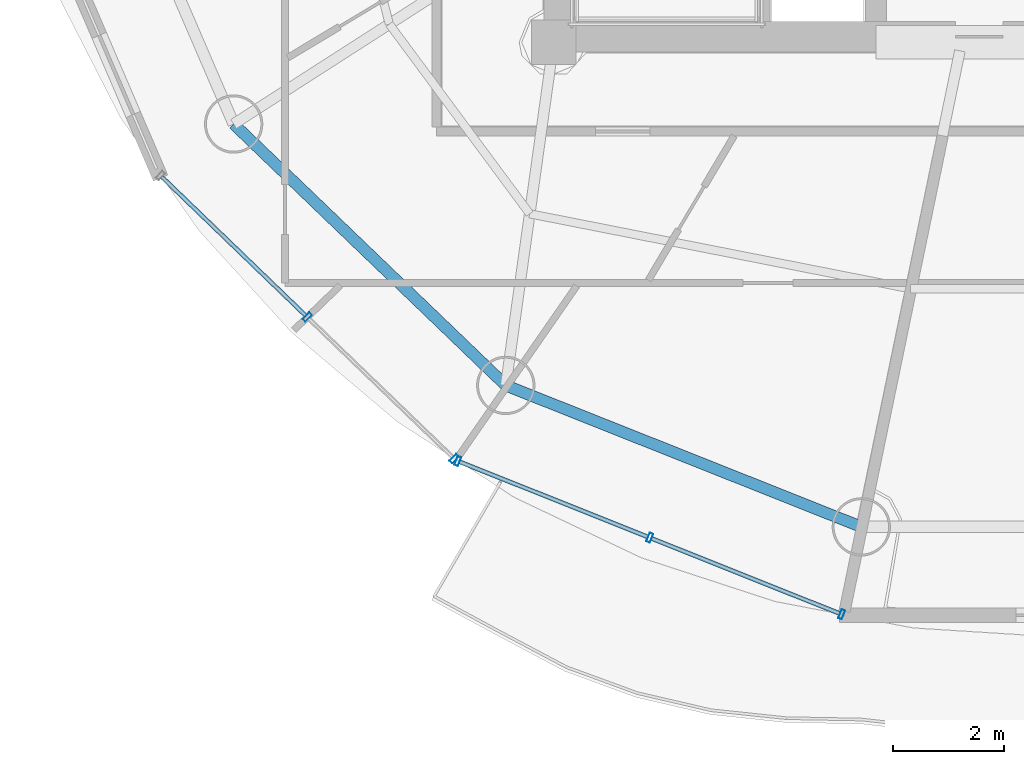
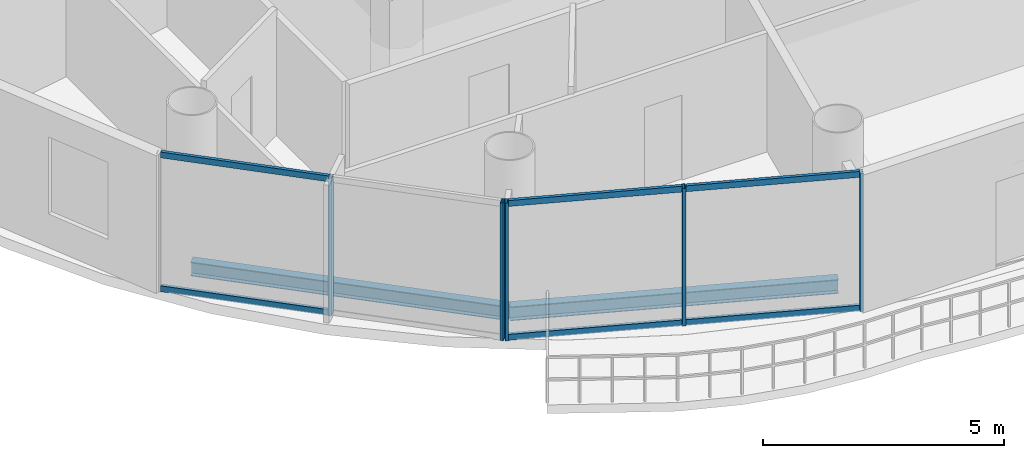
# One storey, part 2 of 23: 11 members, 2 beams, 2 elements without a shape of their own.
"""IFC4 building model written with IfcOpenShell, lengths in metres."""

from ifc_helpers import new_model, si_unit, direction, frame, origin, origin_2d, place, context, subcontext, project, spatial, hollow_rectangle, i_section, extrude, source, transform, mapped, material, material_profile, profile_set, type_object, element, aggregate, save


model = new_model("IFC4")

# Units and contexts
model_context = context("Model", 3, precision=1e-05, world=origin(), true_north=direction((-0.2419218956, 0.970295726276)))
body_context = subcontext(model_context, "Body", "Model", "MODEL_VIEW")
ifc_project = project(units=[si_unit("LENGTHUNIT", "METRE"), si_unit("AREAUNIT", "SQUARE_METRE"), si_unit("VOLUMEUNIT", "CUBIC_METRE"), si_unit("PLANEANGLEUNIT", "RADIAN"), si_unit("MASSUNIT", "GRAM", prefix="KILO")], contexts=[model_context])

# Site, building, storey
site_placement = place(None, origin())
site = spatial("IfcSite", under=ifc_project, at=site_placement, CompositionType="ELEMENT")
building_placement = place(site_placement, origin())
building = spatial("IfcBuilding", under=site, at=building_placement, Name="Cobrevalo Terracotta Tower", CompositionType="ELEMENT")
storey_placement = place(building_placement, frame((0.0, 0.0, 251.949951171875)))
storey = spatial("IfcBuildingStorey", under=building, at=storey_placement, Name="L66", CompositionType="ELEMENT", Elevation=251.949951171875)

# Beams
ifc_material_1 = material(Name="Steel S355", Category="steel")
ifc_material_profile_1 = material_profile(ifc_material_1, i_section(OverallWidth=0.205078125, OverallDepth=0.35400390625, WebThickness=0.009521484375, FlangeThickness=0.016845703125, at=origin_2d()), Name="W 360x79")
ifc_profile_set_1 = profile_set([ifc_material_profile_1], Name="Steel S355")
beam_type = type_object("IfcBeamType", Name="Structural Spandrel W 360x79 (Steel S355)", PredefinedType="SPANDREL", material=ifc_profile_set_1)
beam_1_placement = place(storey_placement, frame((23.241455078125, 17.32763671875, -0.43701171875), z_axis=(0.721183246144, -0.692744343522, 0.0), x_axis=(0.692744343522, 0.721183246144, 0.0)))
element("IfcBeam", 1, at=beam_1_placement, inside=storey, type_object=beam_type, Name="L66 perimeter ring spandrel 10", PredefinedType="SPANDREL", context=body_context, shape_type="SweptSolid", body=[
    extrude(i_section(OverallWidth=0.205078125, OverallDepth=0.35400390625, WebThickness=0.009521484375, FlangeThickness=0.016845703125, at=origin_2d()), origin(), (0.0, 0.0, 1.0), 6.79052734375),
])
beam_2_placement = place(storey_placement, frame((28.138671875, 12.62353515625, -0.43701171875), z_axis=(0.929149986048, -0.369702993533, 0.0), x_axis=(0.369702993533, 0.929149986048, 0.0)))
element("IfcBeam", 2, at=beam_2_placement, inside=storey, type_object=beam_type, Name="L66 perimeter ring spandrel 11", PredefinedType="SPANDREL", context=body_context, shape_type="SweptSolid", body=[
    extrude(i_section(OverallWidth=0.205078125, OverallDepth=0.35400390625, WebThickness=0.009521484375, FlangeThickness=0.016845703125, at=origin_2d()), origin(), (0.0, 0.0, 1.0), 6.88623046875),
])

# Curtain wall, members
ifc_material_2 = material(Name="Anodized aluminium", Category="aluminium")
curtain_wall_type = type_object("IfcCurtainWallType", Name="Upper-tower triple-glazed penthouse curtain wall CW-U3", PredefinedType="NOTDEFINED", material=ifc_material_2)
curtain_wall_1_placement = place(storey_placement, origin())
curtain_wall_1 = element("IfcCurtainWall", 3, at=curtain_wall_1_placement, inside=storey, type_object=curtain_wall_type, Name="L66 curtain wall CW-L66-S10", PredefinedType="NOTDEFINED")
ifc_material_profile_2 = material_profile(ifc_material_2, hollow_rectangle(XDim=0.070068359375, YDim=0.169921875, WallThickness=0.00439453125, at=origin_2d()), Name="CWM 70x170")
ifc_profile_set_2 = profile_set([ifc_material_profile_2], Name="Anodized aluminium")
member_type_1 = type_object("IfcMemberType", Name="Upper tower unitised mullion 70x170", PredefinedType="MULLION", material=ifc_profile_set_2)
shared_shape_1 = source(origin(), body_context, "Body", "SweptSolid", [
    extrude(hollow_rectangle(XDim=0.070068359375, YDim=0.169921875, WallThickness=0.00439453125, at=origin_2d()), origin(), (0.0, 0.0, 1.0), 3.489990234375),
])
member_1_placement = place(storey_placement, frame((24.56640625, 13.85205078125, 0.0), z_axis=(0.0, 0.0, 1.0), x_axis=(0.71999418085, -0.69398010025, 0.0)))
member_1 = element("IfcMember", 4, at=member_1_placement, type_object=member_type_1, Name="CW-L66-S10 vertical mullion 02", PredefinedType="MULLION", context=body_context, shape_type="MappedRepresentation", body=[
    mapped(shared_shape_1, transform((0.0, 0.0, 0.0), scale=1.0)),
])
member_2_placement = place(storey_placement, frame((27.209716796875, 11.30419921875, 0.0), z_axis=(0.0, 0.0, 1.0), x_axis=(0.71999418085, -0.69398010025, 0.0)))
member_2 = element("IfcMember", 5, at=member_2_placement, type_object=member_type_1, Name="CW-L66-S10 vertical mullion 03", PredefinedType="MULLION", context=body_context, shape_type="MappedRepresentation", body=[
    mapped(shared_shape_1, transform((0.0, 0.0, 0.0), scale=1.0)),
])

curtain_wall_2_placement = place(storey_placement, origin())
curtain_wall_2 = element("IfcCurtainWall", 6, at=curtain_wall_2_placement, inside=storey, type_object=curtain_wall_type, Name="L66 curtain wall CW-L66-S11", PredefinedType="NOTDEFINED")
member_3_placement = place(storey_placement, frame((27.275634765625, 11.26171875, 0.0), z_axis=(0.0, 0.0, 1.0), x_axis=(0.928718980883, -0.370784377433, 0.0)))
member_3 = element("IfcMember", 7, at=member_3_placement, type_object=member_type_1, Name="CW-L66-S11 vertical mullion 01", PredefinedType="MULLION", context=body_context, shape_type="MappedRepresentation", body=[
    mapped(shared_shape_1, transform((0.0, 0.0, 0.0), scale=1.0)),
])
member_4_placement = place(storey_placement, frame((30.729736328125, 9.882568359375, 0.0), z_axis=(0.0, 0.0, 1.0), x_axis=(0.928718980883, -0.370784377433, 0.0)))
member_4 = element("IfcMember", 8, at=member_4_placement, type_object=member_type_1, Name="CW-L66-S11 vertical mullion 02", PredefinedType="MULLION", context=body_context, shape_type="MappedRepresentation", body=[
    mapped(shared_shape_1, transform((0.0, 0.0, 0.0), scale=1.0)),
])
member_5_placement = place(storey_placement, frame((34.183837890625, 8.503662109375, 0.0), z_axis=(0.0, 0.0, 1.0), x_axis=(0.928718980883, -0.370784377433, 0.0)))
member_5 = element("IfcMember", 9, at=member_5_placement, type_object=member_type_1, Name="CW-L66-S11 vertical mullion 03", PredefinedType="MULLION", context=body_context, shape_type="MappedRepresentation", body=[
    mapped(shared_shape_1, transform((0.0, 0.0, 0.0), scale=1.0)),
])

# Member
ifc_material_profile_3 = material_profile(ifc_material_2, hollow_rectangle(XDim=0.074951171875, YDim=0.14990234375, WallThickness=0.00439453125, at=origin_2d()), Name="CWT 75x150")
ifc_profile_set_3 = profile_set([ifc_material_profile_3], Name="Anodized aluminium")
member_type_2 = type_object("IfcMemberType", Name="Tower unitised aluminium transom 75x150", PredefinedType="USERDEFINED", material=ifc_profile_set_3)
shared_shape_2 = source(origin(), body_context, "Body", "SweptSolid", [
    extrude(hollow_rectangle(XDim=0.074951171875, YDim=0.14990234375, WallThickness=0.00439453125, at=origin_2d()), origin(), (0.0, 0.0, 1.0), 3.59130859375),
])
member_6_placement = place(storey_placement, frame((21.9521484375, 16.3720703125, 0.050048828125), z_axis=(0.719971660756, -0.694003463758, 0.0), x_axis=(0.694003463758, 0.719971660756, 0.0)))
member_6 = element("IfcMember", 10, at=member_6_placement, type_object=member_type_2, Name="CW-L66-S10 transom B01-T1", ObjectType="TRANSOM", PredefinedType="USERDEFINED", context=body_context, shape_type="MappedRepresentation", body=[
    mapped(shared_shape_2, transform((0.0, 0.0, 0.0), scale=1.0)),
])

member_7_placement = place(storey_placement, frame((21.9521484375, 16.3720703125, 3.43994140625), z_axis=(0.719971660756, -0.694003463758, 0.0), x_axis=(0.694003463758, 0.719971660756, 0.0)))
member_7 = element("IfcMember", 11, at=member_7_placement, type_object=member_type_2, Name="CW-L66-S10 transom B01-T2", ObjectType="TRANSOM", PredefinedType="USERDEFINED", context=body_context, shape_type="MappedRepresentation", body=[
    mapped(shared_shape_2, transform((0.0, 0.0, 0.0), scale=1.0)),
])

aggregate(curtain_wall_1, [member_1, member_2, member_6, member_7])

shared_shape_3 = source(origin(), body_context, "Body", "SweptSolid", [
    extrude(hollow_rectangle(XDim=0.074951171875, YDim=0.14990234375, WallThickness=0.00439453125, at=origin_2d()), origin(), (0.0, 0.0, 1.0), 3.63916015625),
])
member_8_placement = place(storey_placement, frame((27.31298828125, 11.246826171875, 0.050048828125), z_axis=(0.928712471544, -0.370800681227, 0.0), x_axis=(0.370800681227, 0.928712471544, 0.0)))
member_8 = element("IfcMember", 12, at=member_8_placement, type_object=member_type_2, Name="CW-L66-S11 transom B01-T1", ObjectType="TRANSOM", PredefinedType="USERDEFINED", context=body_context, shape_type="MappedRepresentation", body=[
    mapped(shared_shape_3, transform((0.0, 0.0, 0.0), scale=1.0)),
])

member_9_placement = place(storey_placement, frame((27.31298828125, 11.246826171875, 3.43994140625), z_axis=(0.928712471544, -0.370800681227, 0.0), x_axis=(0.370800681227, 0.928712471544, 0.0)))
member_9 = element("IfcMember", 13, at=member_9_placement, type_object=member_type_2, Name="CW-L66-S11 transom B01-T2", ObjectType="TRANSOM", PredefinedType="USERDEFINED", context=body_context, shape_type="MappedRepresentation", body=[
    mapped(shared_shape_3, transform((0.0, 0.0, 0.0), scale=1.0)),
])

member_10_placement = place(storey_placement, frame((30.76708984375, 9.86767578125, 0.050048828125), z_axis=(0.928712471544, -0.370800681227, 0.0), x_axis=(0.370800681227, 0.928712471544, 0.0)))
member_10 = element("IfcMember", 14, at=member_10_placement, type_object=member_type_2, Name="CW-L66-S11 transom B02-T1", ObjectType="TRANSOM", PredefinedType="USERDEFINED", context=body_context, shape_type="MappedRepresentation", body=[
    mapped(shared_shape_3, transform((0.0, 0.0, 0.0), scale=1.0)),
])

member_11_placement = place(storey_placement, frame((30.76708984375, 9.86767578125, 3.43994140625), z_axis=(0.928712471544, -0.370800681227, 0.0), x_axis=(0.370800681227, 0.928712471544, 0.0)))
member_11 = element("IfcMember", 15, at=member_11_placement, type_object=member_type_2, Name="CW-L66-S11 transom B02-T2", ObjectType="TRANSOM", PredefinedType="USERDEFINED", context=body_context, shape_type="MappedRepresentation", body=[
    mapped(shared_shape_3, transform((0.0, 0.0, 0.0), scale=1.0)),
])

aggregate(curtain_wall_2, [member_3, member_4, member_5, member_8, member_9, member_10, member_11])

save(model, "model.ifc")
